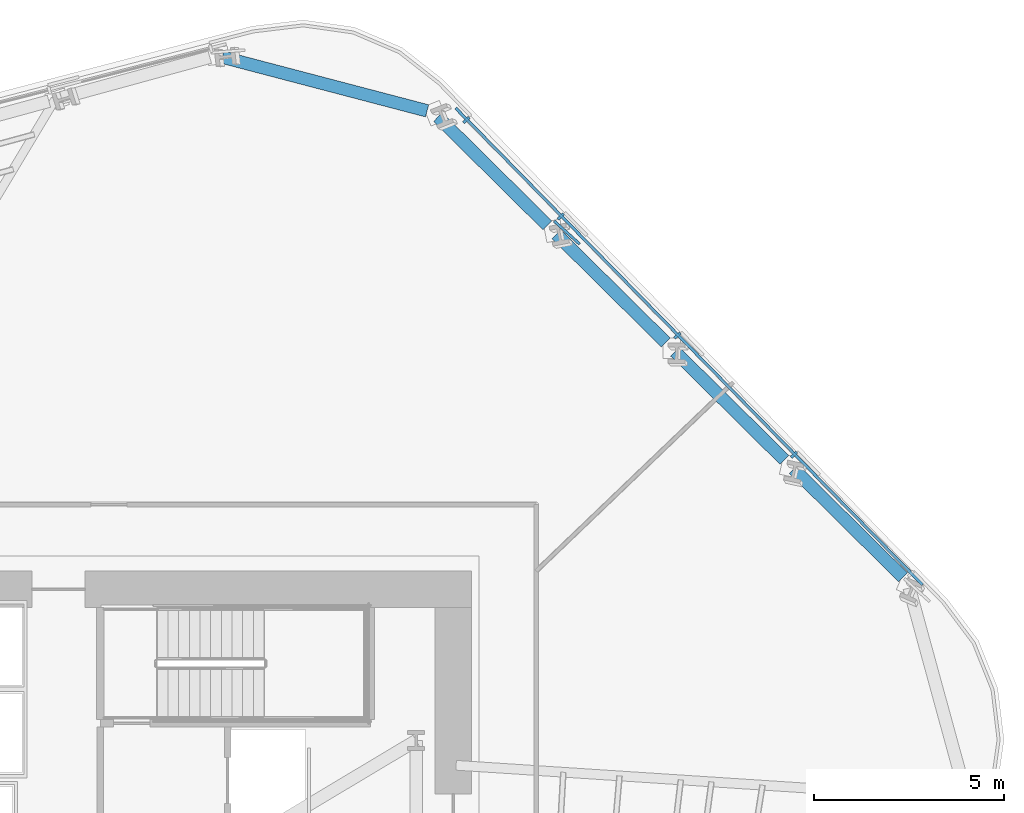
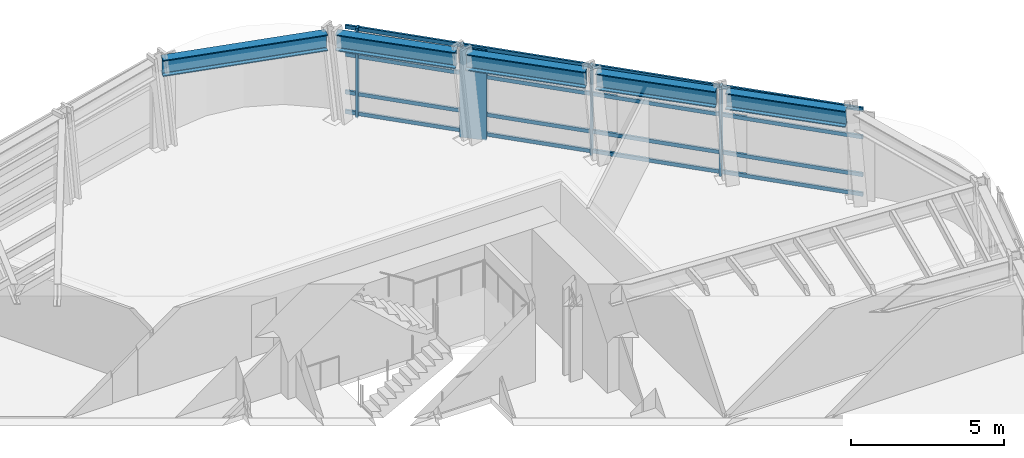
# One storey, part 7 of 17: 9 members, 5 beams, 1 element without a shape of its own.
"""IFC4 building model written with IfcOpenShell, lengths in metres."""

from ifc_helpers import new_model, si_unit, direction, frame, origin, origin_2d, place, context, subcontext, project, spatial, rectangle, i_section, extrude, material, layer, layer_set, material_profile, profile_set, type_object, element, aggregate, save


model = new_model("IFC4")

# Units and contexts
model_context = context("Model", 3, precision=1e-05, world=origin(), true_north=direction((0.0, 1.0)))
body_context = subcontext(model_context, "Body", "Model", "MODEL_VIEW")
ifc_project = project(units=[si_unit("LENGTHUNIT", "METRE"), si_unit("AREAUNIT", "SQUARE_METRE"), si_unit("VOLUMEUNIT", "CUBIC_METRE"), si_unit("PLANEANGLEUNIT", "RADIAN"), si_unit("MASSUNIT", "GRAM", prefix="KILO")], contexts=[model_context])

# Site, building, storey
site_placement = place(None, origin())
site = spatial("IfcSite", under=ifc_project, at=site_placement, CompositionType="ELEMENT")
building_placement = place(site_placement, origin())
building = spatial("IfcBuilding", under=site, at=building_placement, Name="Valkerne Bourse Tower", CompositionType="ELEMENT")
storey_placement = place(building_placement, frame((0.0, 0.0, 85.800048828125)))
storey = spatial("IfcBuildingStorey", under=building, at=storey_placement, Name="L21", CompositionType="ELEMENT", Elevation=85.800048828125)

# Beams
ifc_material_1 = material(Name="Steel ASTM A992", Category="steel")
ifc_material_profile_1 = material_profile(ifc_material_1, i_section(OverallWidth=0.330078125, OverallDepth=0.647705078125, WebThickness=0.0205078125, FlangeThickness=0.037109375, FilletRadius=0.020263671875, at=origin_2d()), Name="W24X192")
ifc_profile_set_1 = profile_set([ifc_material_profile_1], Name="Steel ASTM A992")
beam_type = type_object("IfcBeamType", Name="BM-W24X192", PredefinedType="SPANDREL", material=ifc_profile_set_1)
beam_1_placement = place(storey_placement, frame((67.7431640625, 35.94287109375, 3.256103515625), z_axis=(-0.710840679451, 0.703353061013, 0.0), x_axis=(-0.703353061013, -0.710840679451, 0.0)))
element("IfcBeam", 1, at=beam_1_placement, inside=storey, type_object=beam_type, Name="L21 Hexagonal Spandrel Ring Beam 00", PredefinedType="SPANDREL", context=body_context, shape_type="SweptSolid", body=[
    extrude(i_section(OverallWidth=0.330078125, OverallDepth=0.647705078125, WebThickness=0.0205078125, FlangeThickness=0.037109375, FilletRadius=0.020263671875, at=origin_2d()), origin(), (0.0, 0.0, 1.0), 4.043212890625),
])
beam_2_placement = place(storey_placement, frame((64.627685546875, 39.02587890625, 3.256103515625), z_axis=(-0.710840997487, 0.703352739592, 0.0), x_axis=(-0.703352739592, -0.710840997487, 0.0)))
element("IfcBeam", 2, at=beam_2_placement, inside=storey, type_object=beam_type, Name="L21 Hexagonal Spandrel Ring Beam 01", PredefinedType="SPANDREL", context=body_context, shape_type="SweptSolid", body=[
    extrude(i_section(OverallWidth=0.330078125, OverallDepth=0.647705078125, WebThickness=0.0205078125, FlangeThickness=0.037109375, FilletRadius=0.020263671875, at=origin_2d()), origin(), (0.0, 0.0, 1.0), 4.042724609375),
])
for number, where, z_axis, x_axis, name in (
    (3, (61.51220703125, 42.108642578125, 3.256103515625), (-0.71081080522, 0.703383251992, 0.0), (-0.703383251992, -0.71081080522, 0.0), "L21 Hexagonal Spandrel Ring Beam 02"),
    (4, (58.396728515625, 45.191650390625, 3.256103515625), (-0.71081080522, 0.703383251992, 0.0), (-0.703383251992, -0.71081080522, 0.0), "L21 Hexagonal Spandrel Ring Beam 03"),
):
    element("IfcBeam", number, at=place(storey_placement, frame(where, z_axis=z_axis, x_axis=x_axis)), inside=storey, type_object=beam_type, Name=name, PredefinedType="SPANDREL", context=body_context, shape_type="SweptSolid", body=[
        extrude(i_section(OverallWidth=0.330078125, OverallDepth=0.647705078125, WebThickness=0.0205078125, FlangeThickness=0.037109375, FilletRadius=0.020263671875, at=origin_2d()), origin(), (0.0, 0.0, 1.0), 4.04296875),
    ])
beam_3_placement = place(storey_placement, frame((55.23779296875, 48.1982421875, 3.256103515625), z_axis=(-0.967266914695, 0.253761139139, 0.0), x_axis=(-0.253761139139, -0.967266914695, 0.0)))
element("IfcBeam", 5, at=beam_3_placement, inside=storey, type_object=beam_type, Name="L21 Hexagonal Spandrel Ring Beam 04", PredefinedType="SPANDREL", context=body_context, shape_type="SweptSolid", body=[
    extrude(i_section(OverallWidth=0.330078125, OverallDepth=0.647705078125, WebThickness=0.0205078125, FlangeThickness=0.037109375, FilletRadius=0.020263671875, at=origin_2d()), origin(), (0.0, 0.0, 1.0), 5.564697265625),
])

# Curtain wall, members
ifc_material_2 = material(Name="Aluminium AA 6063-T6", Category="aluminium")
ifc_layer = layer(ifc_material_2, 0.22998046875)
ifc_layer_set = layer_set([ifc_layer], Name="Aluminium AA 6063-T6")
curtain_wall_type = type_object("IfcCurtainWallType", Name="CW-02", PredefinedType="NOTDEFINED", material=ifc_layer_set)
curtain_wall_placement = place(storey_placement, origin())
curtain_wall = element("IfcCurtainWall", 6, at=curtain_wall_placement, inside=storey, type_object=curtain_wall_type, Name="L21 Hexagonal Stick Curtain Wall Face 1", PredefinedType="NOTDEFINED")
ifc_material_profile_2 = material_profile(ifc_material_2, rectangle(XDim=0.074951171875, YDim=0.199951171875, at=origin_2d()), Name="CWM-75X200")
ifc_profile_set_2 = profile_set([ifc_material_profile_2], Name="Aluminium AA 6063-T6")
member_type_1 = type_object("IfcMemberType", Name="CW-MUL-220X75", PredefinedType="MULLION", material=ifc_profile_set_2)
member_1_placement = place(storey_placement, frame((64.88232421875, 39.160888671875, 0.0), z_axis=(0.0, 0.0, 1.0), x_axis=(-0.699664346061, 0.714471694927, 0.0)))
member_1 = element("IfcMember", 7, at=member_1_placement, type_object=member_type_1, Name="CW-L21-F1 Jamb Mullion 01A", PredefinedType="MULLION", context=body_context, shape_type="SweptSolid", body=[
    extrude(rectangle(XDim=0.074951171875, YDim=0.199951171875, at=origin_2d()), origin(), (0.0, 0.0, 1.0), 3.579833984375),
])
member_2_placement = place(storey_placement, frame((61.815673828125, 42.292236328125, 0.0), z_axis=(0.0, 0.0, 1.0), x_axis=(-0.699664346061, 0.714471694927, 0.0)))
member_2 = element("IfcMember", 8, at=member_2_placement, type_object=member_type_1, Name="CW-L21-F1 Jamb Mullion 02A", PredefinedType="MULLION", context=body_context, shape_type="SweptSolid", body=[
    extrude(rectangle(XDim=0.074951171875, YDim=0.199951171875, at=origin_2d()), origin(), (0.0, 0.0, 1.0), 3.579833984375),
])
member_3_placement = place(storey_placement, frame((58.7490234375, 45.423828125, 0.0), z_axis=(0.0, 0.0, 1.0), x_axis=(-0.699664587428, 0.714471458562, 0.0)))
member_3 = element("IfcMember", 9, at=member_3_placement, type_object=member_type_1, Name="CW-L21-F1 Jamb Mullion 03A", PredefinedType="MULLION", context=body_context, shape_type="SweptSolid", body=[
    extrude(rectangle(XDim=0.074951171875, YDim=0.199951171875, at=origin_2d()), origin(), (0.0, 0.0, 1.0), 3.579833984375),
])
member_4_placement = place(storey_placement, frame((56.27001953125, 47.955078125, 0.0), z_axis=(0.0, 0.0, 1.0), x_axis=(-0.699664587428, 0.714471458562, 0.0)))
member_4 = element("IfcMember", 10, at=member_4_placement, type_object=member_type_1, Name="CW-L21-F1 Jamb Mullion 03B", PredefinedType="MULLION", context=body_context, shape_type="SweptSolid", body=[
    extrude(rectangle(XDim=0.074951171875, YDim=0.199951171875, at=origin_2d()), origin(), (0.0, 0.0, 1.0), 3.579833984375),
])
ifc_material_profile_3 = material_profile(ifc_material_2, rectangle(XDim=0.074951171875, YDim=0.14990234375, at=origin_2d()), Name="CWT-75X150")
ifc_profile_set_3 = profile_set([ifc_material_profile_3], Name="Aluminium AA 6063-T6")
member_type_2 = type_object("IfcMemberType", Name="CW-TRN-180X65", PredefinedType="USERDEFINED", material=ifc_profile_set_3)
member_5_placement = place(storey_placement, frame((68.257080078125, 35.7431640625, 0.119873046875), z_axis=(-0.699666706392, 0.714469383505, 0.0), x_axis=(-0.714469383505, -0.699666706392, 0.0)))
member_5 = element("IfcMember", 11, at=member_5_placement, type_object=member_type_2, Name="CW-L21-F1 Continuous Face Transom 1", ObjectType="TRANSOM", PredefinedType="USERDEFINED", context=body_context, shape_type="SweptSolid", body=[
    extrude(rectangle(XDim=0.074951171875, YDim=0.14990234375, at=origin_2d()), origin(), (0.0, 0.0, 1.0), 17.531982421875),
])
member_6_placement = place(storey_placement, frame((68.257080078125, 35.7431640625, 0.89990234375), z_axis=(-0.699666706392, 0.714469383505, 0.0), x_axis=(-0.714469383505, -0.699666706392, 0.0)))
member_6 = element("IfcMember", 12, at=member_6_placement, type_object=member_type_2, Name="CW-L21-F1 Continuous Face Transom 2", ObjectType="TRANSOM", PredefinedType="USERDEFINED", context=body_context, shape_type="SweptSolid", body=[
    extrude(rectangle(XDim=0.074951171875, YDim=0.14990234375, at=origin_2d()), origin(), (0.0, 0.0, 1.0), 17.531982421875),
])
member_7_placement = place(storey_placement, frame((68.257080078125, 35.7431640625, 2.39990234375), z_axis=(-0.699666706392, 0.714469383505, 0.0), x_axis=(-0.714469383505, -0.699666706392, 0.0)))
member_7 = element("IfcMember", 13, at=member_7_placement, type_object=member_type_2, Name="CW-L21-F1 Continuous Face Transom 3", ObjectType="TRANSOM", PredefinedType="USERDEFINED", context=body_context, shape_type="SweptSolid", body=[
    extrude(rectangle(XDim=0.074951171875, YDim=0.14990234375, at=origin_2d()), origin(), (0.0, 0.0, 1.0), 17.531982421875),
])
member_8_placement = place(storey_placement, frame((68.257080078125, 35.7431640625, 3.5), z_axis=(-0.699666706392, 0.714469383505, 0.0), x_axis=(-0.714469383505, -0.699666706392, 0.0)))
member_8 = element("IfcMember", 14, at=member_8_placement, type_object=member_type_2, Name="CW-L21-F1 Continuous Face Transom 4", ObjectType="TRANSOM", PredefinedType="USERDEFINED", context=body_context, shape_type="SweptSolid", body=[
    extrude(rectangle(XDim=0.074951171875, YDim=0.14990234375, at=origin_2d()), origin(), (0.0, 0.0, 1.0), 17.531982421875),
])
aggregate(curtain_wall, [member_5, member_6, member_7, member_8, member_1, member_2, member_3, member_4])

# Member
ifc_material_3 = material(Name="Bronze Anodised Aluminium AA 6063-T6", Category="aluminium")
ifc_material_profile_4 = material_profile(ifc_material_3, rectangle(XDim=0.070068359375, YDim=0.89990234375, at=origin_2d()), Name="FIN-70X900")
ifc_profile_set_4 = profile_set([ifc_material_profile_4], Name="Bronze Anodised Aluminium AA 6063-T6")
member_type_3 = type_object("IfcMemberType", Name="FIN-SOLAR-900", PredefinedType="USERDEFINED", material=ifc_profile_set_4)
member_9_placement = place(storey_placement, frame((58.914306640625, 44.997802734375, 0.00390625), z_axis=(0.0, 0.0, 1.0), x_axis=(0.671582407251, 0.740929868659, 0.0)))
element("IfcMember", 15, at=member_9_placement, inside=storey, type_object=member_type_3, Name="L21 Bronze Anodised Solar Fin F1-03", ObjectType="SOLAR_FIN", PredefinedType="USERDEFINED", context=body_context, shape_type="SweptSolid", body=[
    extrude(rectangle(XDim=0.070068359375, YDim=0.89990234375, at=origin_2d()), origin(), (0.0, 0.0, 1.0), 3.572021484375),
])

save(model, "model.ifc")
